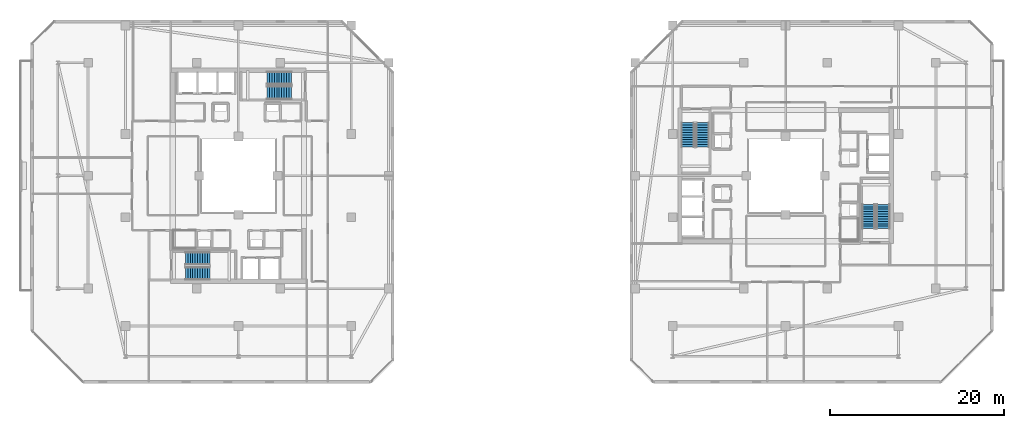
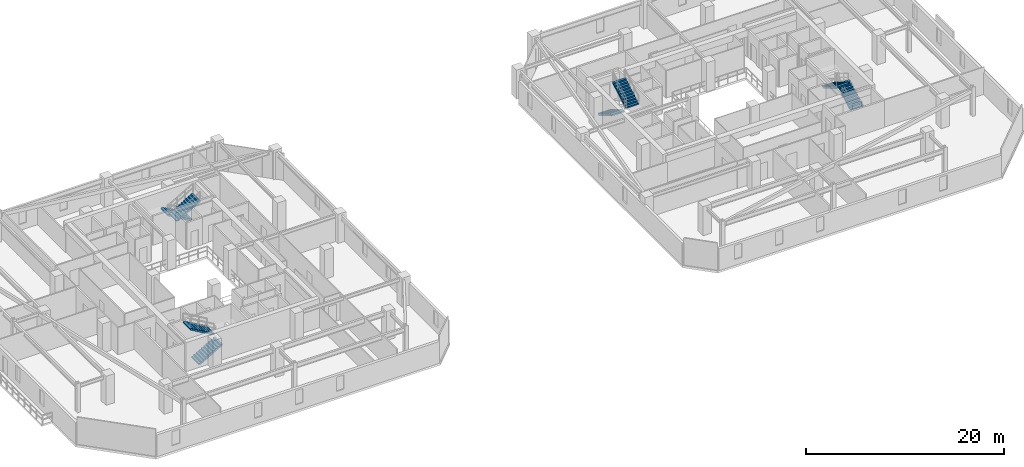
# One storey, part 25 of 31: 8 stair flights, 4 elements without a shape of their own.
"""IFC4 building model written with IfcOpenShell, lengths in metres."""

from ifc_helpers import new_model, si_unit, direction, frame, origin, place, context, subcontext, project, spatial, polyline, outline, extrude, material, type_object, element, aggregate, save


model = new_model("IFC4")

# Units and contexts
model_context = context("Model", 3, precision=1e-05, world=origin(), true_north=direction((0.0, 1.0)))
body_context = subcontext(model_context, "Body", "Model", "MODEL_VIEW")
ifc_project = project(units=[si_unit("LENGTHUNIT", "METRE"), si_unit("AREAUNIT", "SQUARE_METRE"), si_unit("VOLUMEUNIT", "CUBIC_METRE"), si_unit("PLANEANGLEUNIT", "RADIAN"), si_unit("MASSUNIT", "GRAM", prefix="KILO")], contexts=[model_context])

# Site, building, storey
site_placement = place(None, origin())
site = spatial("IfcSite", under=ifc_project, at=site_placement, CompositionType="ELEMENT")
building_placement = place(site_placement, origin())
building = spatial("IfcBuilding", under=site, at=building_placement, Name="Thornwick Lancets Civic Towers", CompositionType="ELEMENT")
storey_placement = place(building_placement, frame((0.0, 0.0, 233.10009765625)))
storey = spatial("IfcBuildingStorey", under=building, at=storey_placement, Name="L62", CompositionType="ELEMENT", Elevation=233.10009765625)

# Stair, stair flights
ifc_material = material(Name="Concrete C40/50", Category="concrete")
stair_type = type_object("IfcStairType", Name="STAIR_DL_3600", PredefinedType="HALF_TURN_STAIR", material=ifc_material)
stair_1_placement = place(storey_placement, origin())
stair_1 = element("IfcStair", 1, at=stair_1_placement, inside=storey, type_object=stair_type, Name="L62 Tower A South Exit Stair ST-A1", PredefinedType="HALF_TURN_STAIR")
stair_flight_type = type_object("IfcStairFlightType", Name="FLIGHT_3600", PredefinedType="STRAIGHT", material=ifc_material)
stair_flight_1_placement = place(storey_placement, frame((19.39990234375, 15.75, 0.0), z_axis=(0.0, 0.0, 1.0), x_axis=(1.0, 0.0, 0.0)))
stair_flight_1 = element("IfcStairFlight", 2, at=stair_flight_1_placement, type_object=stair_flight_type, Name="ST-A1 flight 1", NumberOfRisers=11, NumberOfTreads=10, PredefinedType="STRAIGHT", RiserHeight=0.163636364, TreadLength=0.28, context=body_context, shape_type="SweptSolid", body=[
    extrude(outline(polyline([(0.0, 0.0), (0.0, 0.16357421875), (0.280029296875, 0.16357421875), (0.280029296875, 0.327392578125), (0.56005859375, 0.327392578125), (0.56005859375, 0.490966796875), (0.840087890625, 0.490966796875), (0.840087890625, 0.654541015625), (1.1201171875, 0.654541015625), (1.1201171875, 0.818115234375), (1.39990234375, 0.818115234375), (1.39990234375, 0.98193359375), (1.679931640625, 0.98193359375), (1.679931640625, 1.1455078125), (1.9599609375, 1.1455078125), (1.9599609375, 1.30908203125), (2.239990234375, 1.30908203125), (2.239990234375, 1.47265625), (2.52001953125, 1.47265625), (2.52001953125, 1.636474609375), (2.800048828125, 1.636474609375), (2.800048828125, 1.800048828125), (2.800048828125, 1.462646484375), (0.297119140625, 0.0), (0.0, 0.0)])), frame((0.0, 0.75, 0.0), z_axis=(0.0, -1.0, 0.0), x_axis=(1.0, 0.0, 0.0)), (0.0, 0.0, 1.0), 1.5),
])
stair_flight_2_placement = place(storey_placement, frame((22.199951171875, 17.449951171875, 1.7998046875), z_axis=(0.0, 0.0, 1.0), x_axis=(-1.0, 0.0, 0.0)))
stair_flight_2 = element("IfcStairFlight", 3, at=stair_flight_2_placement, type_object=stair_flight_type, Name="ST-A1 flight 2", NumberOfRisers=11, NumberOfTreads=10, PredefinedType="STRAIGHT", RiserHeight=0.163636364, TreadLength=0.28, context=body_context, shape_type="SweptSolid", body=[
    extrude(outline(polyline([(0.0, 0.0), (0.0, 0.16357421875), (0.280029296875, 0.16357421875), (0.280029296875, 0.327392578125), (0.56005859375, 0.327392578125), (0.56005859375, 0.490966796875), (0.840087890625, 0.490966796875), (0.840087890625, 0.654541015625), (1.1201171875, 0.654541015625), (1.1201171875, 0.818115234375), (1.39990234375, 0.818115234375), (1.39990234375, 0.98193359375), (1.679931640625, 0.98193359375), (1.679931640625, 1.1455078125), (1.9599609375, 1.1455078125), (1.9599609375, 1.30908203125), (2.239990234375, 1.30908203125), (2.239990234375, 1.47265625), (2.52001953125, 1.47265625), (2.52001953125, 1.636474609375), (2.800048828125, 1.636474609375), (2.800048828125, 1.800048828125), (2.800048828125, 1.462646484375), (0.297119140625, 0.0), (0.0, 0.0)])), frame((0.0, 0.75, 0.0), z_axis=(0.0, -1.0, 0.0), x_axis=(1.0, 0.0, 0.0)), (0.0, 0.0, 1.0), 1.5),
])
aggregate(stair_1, [stair_flight_1, stair_flight_2])

stair_2_placement = place(storey_placement, origin())
stair_2 = element("IfcStair", 4, at=stair_2_placement, inside=storey, type_object=stair_type, Name="L62 Tower A North Exit Stair ST-A2", PredefinedType="HALF_TURN_STAIR")
stair_flight_3_placement = place(storey_placement, frame((31.60009765625, 38.25, 0.0), z_axis=(0.0, 0.0, 1.0), x_axis=(-1.0, 0.0, 0.0)))
stair_flight_3 = element("IfcStairFlight", 5, at=stair_flight_3_placement, type_object=stair_flight_type, Name="ST-A2 flight 1", NumberOfRisers=11, NumberOfTreads=10, PredefinedType="STRAIGHT", RiserHeight=0.163636364, TreadLength=0.28, context=body_context, shape_type="SweptSolid", body=[
    extrude(outline(polyline([(0.0, 0.0), (0.0, 0.16357421875), (0.280029296875, 0.16357421875), (0.280029296875, 0.327392578125), (0.56005859375, 0.327392578125), (0.56005859375, 0.490966796875), (0.840087890625, 0.490966796875), (0.840087890625, 0.654541015625), (1.1201171875, 0.654541015625), (1.1201171875, 0.818115234375), (1.39990234375, 0.818115234375), (1.39990234375, 0.98193359375), (1.679931640625, 0.98193359375), (1.679931640625, 1.1455078125), (1.9599609375, 1.1455078125), (1.9599609375, 1.30908203125), (2.239990234375, 1.30908203125), (2.239990234375, 1.47265625), (2.52001953125, 1.47265625), (2.52001953125, 1.636474609375), (2.800048828125, 1.636474609375), (2.800048828125, 1.800048828125), (2.800048828125, 1.462646484375), (0.297119140625, 0.0), (0.0, 0.0)])), frame((0.0, 0.75, 0.0), z_axis=(0.0, -1.0, 0.0), x_axis=(1.0, 0.0, 0.0)), (0.0, 0.0, 1.0), 1.5),
])
stair_flight_4_placement = place(storey_placement, frame((28.800048828125, 36.550048828125, 1.7998046875), z_axis=(0.0, 0.0, 1.0), x_axis=(1.0, 0.0, 0.0)))
stair_flight_4 = element("IfcStairFlight", 6, at=stair_flight_4_placement, type_object=stair_flight_type, Name="ST-A2 flight 2", NumberOfRisers=11, NumberOfTreads=10, PredefinedType="STRAIGHT", RiserHeight=0.163636364, TreadLength=0.28, context=body_context, shape_type="SweptSolid", body=[
    extrude(outline(polyline([(0.0, 0.0), (0.0, 0.16357421875), (0.280029296875, 0.16357421875), (0.280029296875, 0.327392578125), (0.56005859375, 0.327392578125), (0.56005859375, 0.490966796875), (0.840087890625, 0.490966796875), (0.840087890625, 0.654541015625), (1.1201171875, 0.654541015625), (1.1201171875, 0.818115234375), (1.39990234375, 0.818115234375), (1.39990234375, 0.98193359375), (1.679931640625, 0.98193359375), (1.679931640625, 1.1455078125), (1.9599609375, 1.1455078125), (1.9599609375, 1.30908203125), (2.239990234375, 1.30908203125), (2.239990234375, 1.47265625), (2.52001953125, 1.47265625), (2.52001953125, 1.636474609375), (2.800048828125, 1.636474609375), (2.800048828125, 1.800048828125), (2.800048828125, 1.462646484375), (0.297119140625, 0.0), (0.0, 0.0)])), frame((0.0, 0.75, 0.0), z_axis=(0.0, -1.0, 0.0), x_axis=(1.0, 0.0, 0.0)), (0.0, 0.0, 1.0), 1.5),
])
aggregate(stair_2, [stair_flight_3, stair_flight_4])

stair_3_placement = place(storey_placement, origin())
stair_3 = element("IfcStair", 7, at=stair_3_placement, inside=storey, type_object=stair_type, Name="L62 Tower B East Exit Stair ST-B1", PredefinedType="HALF_TURN_STAIR")
stair_flight_5_placement = place(storey_placement, frame((99.75, 20.89990234375, 0.0), z_axis=(0.0, 0.0, 1.0), x_axis=(0.0, 1.0, 0.0)))
stair_flight_5 = element("IfcStairFlight", 8, at=stair_flight_5_placement, type_object=stair_flight_type, Name="ST-B1 flight 1", NumberOfRisers=11, NumberOfTreads=10, PredefinedType="STRAIGHT", RiserHeight=0.163636364, TreadLength=0.28, context=body_context, shape_type="SweptSolid", body=[
    extrude(outline(polyline([(0.0, 0.0), (0.0, 0.16357421875), (0.280029296875, 0.16357421875), (0.280029296875, 0.327392578125), (0.56005859375, 0.327392578125), (0.56005859375, 0.490966796875), (0.840087890625, 0.490966796875), (0.840087890625, 0.654541015625), (1.1201171875, 0.654541015625), (1.1201171875, 0.818115234375), (1.39990234375, 0.818115234375), (1.39990234375, 0.98193359375), (1.679931640625, 0.98193359375), (1.679931640625, 1.1455078125), (1.9599609375, 1.1455078125), (1.9599609375, 1.30908203125), (2.239990234375, 1.30908203125), (2.239990234375, 1.47265625), (2.52001953125, 1.47265625), (2.52001953125, 1.636474609375), (2.800048828125, 1.636474609375), (2.800048828125, 1.800048828125), (2.800048828125, 1.462646484375), (0.297119140625, 0.0), (0.0, 0.0)])), frame((0.0, 0.75, 0.0), z_axis=(0.0, -1.0, 0.0), x_axis=(1.0, 0.0, 0.0)), (0.0, 0.0, 1.0), 1.5),
])
stair_flight_6_placement = place(storey_placement, frame((98.050048828125, 23.699951171875, 1.7998046875), z_axis=(0.0, 0.0, 1.0), x_axis=(0.0, -1.0, 0.0)))
stair_flight_6 = element("IfcStairFlight", 9, at=stair_flight_6_placement, type_object=stair_flight_type, Name="ST-B1 flight 2", NumberOfRisers=11, NumberOfTreads=10, PredefinedType="STRAIGHT", RiserHeight=0.163636364, TreadLength=0.28, context=body_context, shape_type="SweptSolid", body=[
    extrude(outline(polyline([(0.0, 0.0), (0.0, 0.16357421875), (0.280029296875, 0.16357421875), (0.280029296875, 0.327392578125), (0.56005859375, 0.327392578125), (0.56005859375, 0.490966796875), (0.840087890625, 0.490966796875), (0.840087890625, 0.654541015625), (1.1201171875, 0.654541015625), (1.1201171875, 0.818115234375), (1.39990234375, 0.818115234375), (1.39990234375, 0.98193359375), (1.679931640625, 0.98193359375), (1.679931640625, 1.1455078125), (1.9599609375, 1.1455078125), (1.9599609375, 1.30908203125), (2.239990234375, 1.30908203125), (2.239990234375, 1.47265625), (2.52001953125, 1.47265625), (2.52001953125, 1.636474609375), (2.800048828125, 1.636474609375), (2.800048828125, 1.800048828125), (2.800048828125, 1.462646484375), (0.297119140625, 0.0), (0.0, 0.0)])), frame((0.0, 0.75, 0.0), z_axis=(0.0, -1.0, 0.0), x_axis=(1.0, 0.0, 0.0)), (0.0, 0.0, 1.0), 1.5),
])
aggregate(stair_3, [stair_flight_5, stair_flight_6])

stair_4_placement = place(storey_placement, origin())
stair_4 = element("IfcStair", 10, at=stair_4_placement, inside=storey, type_object=stair_type, Name="L62 Tower B West Exit Stair ST-B2", PredefinedType="HALF_TURN_STAIR")
stair_flight_7_placement = place(storey_placement, frame((77.25, 33.10009765625, 0.0), z_axis=(0.0, 0.0, 1.0), x_axis=(0.0, -1.0, 0.0)))
stair_flight_7 = element("IfcStairFlight", 11, at=stair_flight_7_placement, type_object=stair_flight_type, Name="ST-B2 flight 1", NumberOfRisers=11, NumberOfTreads=10, PredefinedType="STRAIGHT", RiserHeight=0.163636364, TreadLength=0.28, context=body_context, shape_type="SweptSolid", body=[
    extrude(outline(polyline([(0.0, 0.0), (0.0, 0.16357421875), (0.280029296875, 0.16357421875), (0.280029296875, 0.327392578125), (0.56005859375, 0.327392578125), (0.56005859375, 0.490966796875), (0.840087890625, 0.490966796875), (0.840087890625, 0.654541015625), (1.1201171875, 0.654541015625), (1.1201171875, 0.818115234375), (1.39990234375, 0.818115234375), (1.39990234375, 0.98193359375), (1.679931640625, 0.98193359375), (1.679931640625, 1.1455078125), (1.9599609375, 1.1455078125), (1.9599609375, 1.30908203125), (2.239990234375, 1.30908203125), (2.239990234375, 1.47265625), (2.52001953125, 1.47265625), (2.52001953125, 1.636474609375), (2.800048828125, 1.636474609375), (2.800048828125, 1.800048828125), (2.800048828125, 1.462646484375), (0.297119140625, 0.0), (0.0, 0.0)])), frame((0.0, 0.75, 0.0), z_axis=(0.0, -1.0, 0.0), x_axis=(1.0, 0.0, 0.0)), (0.0, 0.0, 1.0), 1.5),
])
stair_flight_8_placement = place(storey_placement, frame((78.949951171875, 30.300048828125, 1.7998046875), z_axis=(0.0, 0.0, 1.0), x_axis=(0.0, 1.0, 0.0)))
stair_flight_8 = element("IfcStairFlight", 12, at=stair_flight_8_placement, type_object=stair_flight_type, Name="ST-B2 flight 2", NumberOfRisers=11, NumberOfTreads=10, PredefinedType="STRAIGHT", RiserHeight=0.163636364, TreadLength=0.28, context=body_context, shape_type="SweptSolid", body=[
    extrude(outline(polyline([(0.0, 0.0), (0.0, 0.16357421875), (0.280029296875, 0.16357421875), (0.280029296875, 0.327392578125), (0.56005859375, 0.327392578125), (0.56005859375, 0.490966796875), (0.840087890625, 0.490966796875), (0.840087890625, 0.654541015625), (1.1201171875, 0.654541015625), (1.1201171875, 0.818115234375), (1.39990234375, 0.818115234375), (1.39990234375, 0.98193359375), (1.679931640625, 0.98193359375), (1.679931640625, 1.1455078125), (1.9599609375, 1.1455078125), (1.9599609375, 1.30908203125), (2.239990234375, 1.30908203125), (2.239990234375, 1.47265625), (2.52001953125, 1.47265625), (2.52001953125, 1.636474609375), (2.800048828125, 1.636474609375), (2.800048828125, 1.800048828125), (2.800048828125, 1.462646484375), (0.297119140625, 0.0), (0.0, 0.0)])), frame((0.0, 0.75, 0.0), z_axis=(0.0, -1.0, 0.0), x_axis=(1.0, 0.0, 0.0)), (0.0, 0.0, 1.0), 1.5),
])
aggregate(stair_4, [stair_flight_7, stair_flight_8])

save(model, "model.ifc")
